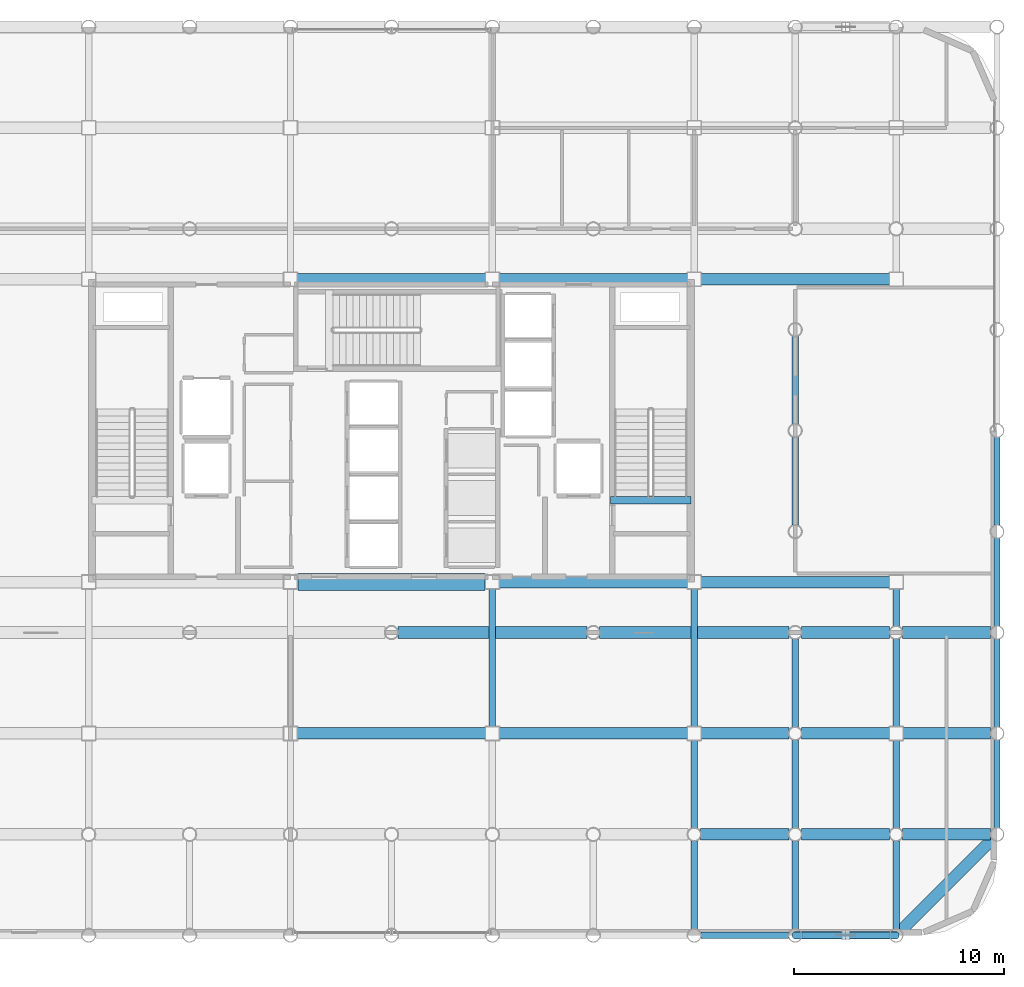
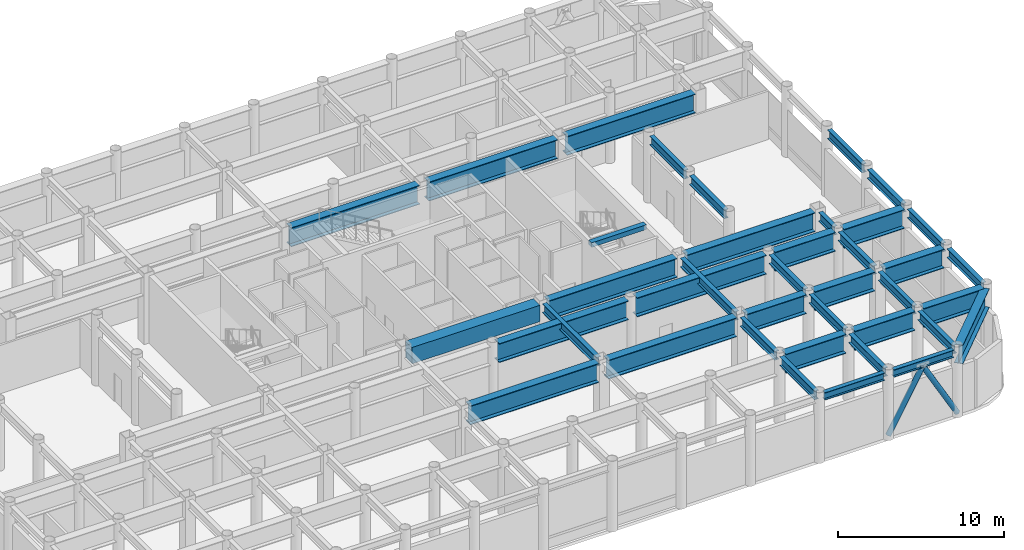
# One storey, part 7 of 20: 39 beams, 2 members.
"""IFC4 building model written with IfcOpenShell, lengths in metres."""

from ifc_helpers import new_model, si_unit, direction, frame, origin, origin_2d, place, context, subcontext, project, spatial, rectangle, hollow_circle, i_section, extrude, material, material_profile, profile_set, type_object, element, save


model = new_model("IFC4")

# Units and contexts
model_context = context("Model", 3, precision=1e-05, world=origin(), true_north=direction((0.0, 1.0)))
body_context = subcontext(model_context, "Body", "Model", "MODEL_VIEW")
ifc_project = project(units=[si_unit("LENGTHUNIT", "METRE"), si_unit("AREAUNIT", "SQUARE_METRE"), si_unit("VOLUMEUNIT", "CUBIC_METRE"), si_unit("PLANEANGLEUNIT", "RADIAN"), si_unit("MASSUNIT", "GRAM", prefix="KILO")], contexts=[model_context])

# Site, building, storey
site_placement = place(None, origin())
site = spatial("IfcSite", under=ifc_project, at=site_placement, CompositionType="ELEMENT")
building_placement = place(site_placement, origin())
building = spatial("IfcBuilding", under=site, at=building_placement, Name="Kallvorn Hotel Tower", CompositionType="ELEMENT")
storey_placement = place(building_placement, frame((0.0, 0.0, 180.300048828125)))
storey = spatial("IfcBuildingStorey", under=building, at=storey_placement, Name="L45", CompositionType="ELEMENT", Elevation=180.300048828125)

# Beams
ifc_material_1 = material(Name="Structural steel S355JR", Category="steel")
ifc_material_profile_1 = material_profile(ifc_material_1, i_section(OverallWidth=0.300048828125, OverallDepth=0.550048828125, WebThickness=0.014892578125, FlangeThickness=0.029052734375, at=origin_2d()), Name="HE 550 B")
ifc_profile_set_1 = profile_set([ifc_material_profile_1], Name="Structural steel S355JR")
beam_type_1 = type_object("IfcBeamType", Name="BM_HE550B", PredefinedType="SPANDREL", material=ifc_profile_set_1)
for number, where, z_axis, x_axis, name in (
    (1, (14.719970703125, -24.0, 4.675048828125), (1.0, 0.0, 0.0), (0.0, 1.0, 0.0), "L46 Perimeter Spandrel 160"),
    (2, (19.52001953125, -24.0, 4.675048828125), (1.0, 0.0, 0.0), (0.0, 1.0, 0.0), "L46 Perimeter Spandrel 161"),
):
    element("IfcBeam", number, at=place(storey_placement, frame(where, z_axis=z_axis, x_axis=x_axis)), inside=storey, type_object=beam_type_1, Name=name, PredefinedType="SPANDREL", context=body_context, shape_type="SweptSolid", body=[
        extrude(i_section(OverallWidth=0.300048828125, OverallDepth=0.550048828125, WebThickness=0.014892578125, FlangeThickness=0.029052734375, at=origin_2d()), origin(), (0.0, 0.0, 1.0), 4.159912109375),
    ])
ifc_material_2 = material(Name="Structural steel S355JR", Category="steel")
ifc_material_profile_2 = material_profile(ifc_material_2, i_section(OverallWidth=0.300048828125, OverallDepth=0.64990234375, WebThickness=0.01611328125, FlangeThickness=0.031005859375, at=origin_2d()), Name="HE 650 B")
ifc_profile_set_2 = profile_set([ifc_material_profile_2], Name="Structural steel S355JR")
beam_type_2 = type_object("IfcBeamType", Name="BM_HE650B", PredefinedType="BEAM", material=ifc_profile_set_2)
beam_1_placement = place(storey_placement, frame((4.800048828125, -14.074951171875, 4.625), z_axis=(0.0, 1.0, 0.0), x_axis=(-1.0, 0.0, 0.0)))
element("IfcBeam", 3, at=beam_1_placement, inside=storey, type_object=beam_type_2, Name="L46 Primary Y-Girder 116", PredefinedType="BEAM", context=body_context, shape_type="SweptSolid", body=[
    extrude(i_section(OverallWidth=0.300048828125, OverallDepth=0.64990234375, WebThickness=0.01611328125, FlangeThickness=0.031005859375, at=origin_2d()), origin(), (0.0, 0.0, 1.0), 6.550048828125),
])
beam_2_placement = place(storey_placement, frame((14.39990234375, -23.695068359375, 4.625), z_axis=(0.0, 1.0, 0.0), x_axis=(-1.0, 0.0, 0.0)))
element("IfcBeam", 4, at=beam_2_placement, inside=storey, type_object=beam_type_2, Name="L46 Primary Y-Girder 122", PredefinedType="BEAM", context=body_context, shape_type="SweptSolid", body=[
    extrude(i_section(OverallWidth=0.300048828125, OverallDepth=0.64990234375, WebThickness=0.01611328125, FlangeThickness=0.031005859375, at=origin_2d()), origin(), (0.0, 0.0, 1.0), 4.190185546875),
])
beam_3_placement = place(storey_placement, frame((14.39990234375, -18.89501953125, 4.625), z_axis=(0.0, 1.0, 0.0), x_axis=(-1.0, 0.0, 0.0)))
element("IfcBeam", 5, at=beam_3_placement, inside=storey, type_object=beam_type_2, Name="L46 Primary Y-Girder 123", PredefinedType="BEAM", context=body_context, shape_type="SweptSolid", body=[
    extrude(i_section(OverallWidth=0.300048828125, OverallDepth=0.64990234375, WebThickness=0.01611328125, FlangeThickness=0.031005859375, at=origin_2d()), origin(), (0.0, 0.0, 1.0), 4.169921875),
])
beam_4_placement = place(storey_placement, frame((14.39990234375, -14.074951171875, 4.625), z_axis=(0.0, 1.0, 0.0), x_axis=(-1.0, 0.0, 0.0)))
element("IfcBeam", 6, at=beam_4_placement, inside=storey, type_object=beam_type_2, Name="L46 Primary Y-Girder 124", PredefinedType="BEAM", context=body_context, shape_type="SweptSolid", body=[
    extrude(i_section(OverallWidth=0.300048828125, OverallDepth=0.64990234375, WebThickness=0.01611328125, FlangeThickness=0.031005859375, at=origin_2d()), origin(), (0.0, 0.0, 1.0), 6.550048828125),
])
beam_5_placement = place(storey_placement, frame((19.199951171875, -23.695068359375, 4.625), z_axis=(0.0, 1.0, 0.0), x_axis=(-1.0, 0.0, 0.0)))
element("IfcBeam", 7, at=beam_5_placement, inside=storey, type_object=beam_type_2, Name="L46 Primary Y-Girder 127", PredefinedType="BEAM", context=body_context, shape_type="SweptSolid", body=[
    extrude(i_section(OverallWidth=0.300048828125, OverallDepth=0.64990234375, WebThickness=0.01611328125, FlangeThickness=0.031005859375, at=origin_2d()), origin(), (0.0, 0.0, 1.0), 4.190185546875),
])
for number, where, z_axis, x_axis, name in (
    (8, (19.199951171875, -18.89501953125, 4.625), (0.0, 1.0, 0.0), (-1.0, 0.0, 0.0), "L46 Primary Y-Girder 128"),
    (9, (19.199951171875, -14.094970703125, 4.625), (0.0, 1.0, 0.0), (-1.0, 0.0, 0.0), "L46 Primary Y-Girder 129"),
):
    element("IfcBeam", number, at=place(storey_placement, frame(where, z_axis=z_axis, x_axis=x_axis)), inside=storey, type_object=beam_type_2, Name=name, PredefinedType="BEAM", context=body_context, shape_type="SweptSolid", body=[
        extrude(i_section(OverallWidth=0.300048828125, OverallDepth=0.64990234375, WebThickness=0.01611328125, FlangeThickness=0.031005859375, at=origin_2d()), origin(), (0.0, 0.0, 1.0), 4.18994140625),
    ])
for number, where, z_axis, x_axis, name in (
    (10, (19.199951171875, -4.4951171875, 4.625), (0.0, 1.0, 0.0), (-1.0, 0.0, 0.0), "L46 Primary Y-Girder 131"),
    (11, (19.199951171875, 0.304931640625, 4.625), (0.0, 1.0, 0.0), (-1.0, 0.0, 0.0), "L46 Primary Y-Girder 132"),
    (12, (24.0, -23.695068359375, 4.625), (0.0, 1.0, 0.0), (-1.0, 0.0, 0.0), "L46 Primary Y-Girder 136"),
):
    element("IfcBeam", number, at=place(storey_placement, frame(where, z_axis=z_axis, x_axis=x_axis)), inside=storey, type_object=beam_type_2, Name=name, PredefinedType="BEAM", context=body_context, shape_type="SweptSolid", body=[
        extrude(i_section(OverallWidth=0.300048828125, OverallDepth=0.64990234375, WebThickness=0.01611328125, FlangeThickness=0.031005859375, at=origin_2d()), origin(), (0.0, 0.0, 1.0), 4.190185546875),
    ])
for number, where, z_axis, x_axis, name in (
    (13, (24.0, -18.89501953125, 4.625), (0.0, 1.0, 0.0), (-1.0, 0.0, 0.0), "L46 Primary Y-Girder 137"),
    (14, (24.0, -14.074951171875, 4.625), (0.0, 1.0, 0.0), (-1.0, 0.0, 0.0), "L46 Primary Y-Girder 138"),
):
    element("IfcBeam", number, at=place(storey_placement, frame(where, z_axis=z_axis, x_axis=x_axis)), inside=storey, type_object=beam_type_2, Name=name, PredefinedType="BEAM", context=body_context, shape_type="SweptSolid", body=[
        extrude(i_section(OverallWidth=0.300048828125, OverallDepth=0.64990234375, WebThickness=0.01611328125, FlangeThickness=0.031005859375, at=origin_2d()), origin(), (0.0, 0.0, 1.0), 4.169921875),
    ])
beam_6_placement = place(storey_placement, frame((24.0, -9.294921875, 4.625), z_axis=(0.0, 1.0, 0.0), x_axis=(-1.0, 0.0, 0.0)))
element("IfcBeam", 15, at=beam_6_placement, inside=storey, type_object=beam_type_2, Name="L46 Primary Y-Girder 139", PredefinedType="BEAM", context=body_context, shape_type="SweptSolid", body=[
    extrude(i_section(OverallWidth=0.300048828125, OverallDepth=0.64990234375, WebThickness=0.01611328125, FlangeThickness=0.031005859375, at=origin_2d()), origin(), (0.0, 0.0, 1.0), 1.77001953125),
])
for number, where, z_axis, x_axis, name in (
    (16, (28.800048828125, -18.89501953125, 4.625), (0.0, 1.0, 0.0), (-1.0, 0.0, 0.0), "L46 Primary Y-Girder 143"),
    (17, (28.800048828125, -14.094970703125, 4.625), (0.0, 1.0, 0.0), (-1.0, 0.0, 0.0), "L46 Primary Y-Girder 144"),
    (18, (28.800048828125, -9.294921875, 4.625), (0.0, 1.0, 0.0), (-1.0, 0.0, 0.0), "L46 Primary Y-Girder 145"),
):
    element("IfcBeam", number, at=place(storey_placement, frame(where, z_axis=z_axis, x_axis=x_axis)), inside=storey, type_object=beam_type_2, Name=name, PredefinedType="BEAM", context=body_context, shape_type="SweptSolid", body=[
        extrude(i_section(OverallWidth=0.300048828125, OverallDepth=0.64990234375, WebThickness=0.01611328125, FlangeThickness=0.031005859375, at=origin_2d()), origin(), (0.0, 0.0, 1.0), 4.18994140625),
    ])
beam_7_placement = place(storey_placement, frame((28.800048828125, -4.4951171875, 4.625), z_axis=(0.0, 1.0, 0.0), x_axis=(-1.0, 0.0, 0.0)))
element("IfcBeam", 19, at=beam_7_placement, inside=storey, type_object=beam_type_2, Name="L46 Primary Y-Girder 146", PredefinedType="BEAM", context=body_context, shape_type="SweptSolid", body=[
    extrude(i_section(OverallWidth=0.300048828125, OverallDepth=0.64990234375, WebThickness=0.01611328125, FlangeThickness=0.031005859375, at=origin_2d()), origin(), (0.0, 0.0, 1.0), 4.190185546875),
])
ifc_material_3 = material(Name="Structural steel S355JR", Category="steel")
ifc_material_profile_3 = material_profile(ifc_material_3, i_section(OverallWidth=0.550048828125, OverallDepth=1.39990234375, WebThickness=0.02490234375, FlangeThickness=0.044921875, at=origin_2d()), Name="PG 1400x550x25x45")
ifc_profile_set_3 = profile_set([ifc_material_profile_3], Name="Structural steel S355JR")
beam_type_3 = type_object("IfcBeamType", Name="BM_PG_1400", PredefinedType="BEAM", material=ifc_profile_set_3)
beam_8_placement = place(storey_placement, frame((14.705078125, -19.199951171875, 4.25), z_axis=(1.0, 0.0, 0.0), x_axis=(0.0, 1.0, 0.0)))
element("IfcBeam", 20, at=beam_8_placement, inside=storey, type_object=beam_type_3, Name="L46 Primary X-Girder 11", PredefinedType="BEAM", context=body_context, shape_type="SweptSolid", body=[
    extrude(i_section(OverallWidth=0.550048828125, OverallDepth=1.39990234375, WebThickness=0.02490234375, FlangeThickness=0.044921875, at=origin_2d()), origin(), (0.0, 0.0, 1.0), 4.18994140625),
])
for number, where, z_axis, x_axis, name in (
    (21, (19.5048828125, -19.199951171875, 4.25), (1.0, 0.0, 0.0), (0.0, 1.0, 0.0), "L46 Primary X-Girder 12"),
    (22, (24.304931640625, -19.199951171875, 4.25), (1.0, 0.0, 0.0), (0.0, 1.0, 0.0), "L46 Primary X-Girder 13"),
):
    element("IfcBeam", number, at=place(storey_placement, frame(where, z_axis=z_axis, x_axis=x_axis)), inside=storey, type_object=beam_type_3, Name=name, PredefinedType="BEAM", context=body_context, shape_type="SweptSolid", body=[
        extrude(i_section(OverallWidth=0.550048828125, OverallDepth=1.39990234375, WebThickness=0.02490234375, FlangeThickness=0.044921875, at=origin_2d()), origin(), (0.0, 0.0, 1.0), 4.190185546875),
    ])
beam_9_placement = place(storey_placement, frame((-4.47509765625, -14.39990234375, 4.25), z_axis=(1.0, 0.0, 0.0), x_axis=(0.0, 1.0, 0.0)))
element("IfcBeam", 23, at=beam_9_placement, inside=storey, type_object=beam_type_3, Name="L46 Primary X-Girder 19", PredefinedType="BEAM", context=body_context, shape_type="SweptSolid", body=[
    extrude(i_section(OverallWidth=0.550048828125, OverallDepth=1.39990234375, WebThickness=0.02490234375, FlangeThickness=0.044921875, at=origin_2d()), origin(), (0.0, 0.0, 1.0), 8.9501953125),
])
beam_10_placement = place(storey_placement, frame((5.125, -14.39990234375, 4.25), z_axis=(1.0, 0.0, 0.0), x_axis=(0.0, 1.0, 0.0)))
element("IfcBeam", 24, at=beam_10_placement, inside=storey, type_object=beam_type_3, Name="L46 Primary X-Girder 20", PredefinedType="BEAM", context=body_context, shape_type="SweptSolid", body=[
    extrude(i_section(OverallWidth=0.550048828125, OverallDepth=1.39990234375, WebThickness=0.02490234375, FlangeThickness=0.044921875, at=origin_2d()), origin(), (0.0, 0.0, 1.0), 8.949951171875),
])
beam_11_placement = place(storey_placement, frame((14.72509765625, -14.39990234375, 4.25), z_axis=(1.0, 0.0, 0.0), x_axis=(0.0, 1.0, 0.0)))
element("IfcBeam", 25, at=beam_11_placement, inside=storey, type_object=beam_type_3, Name="L46 Primary X-Girder 21", PredefinedType="BEAM", context=body_context, shape_type="SweptSolid", body=[
    extrude(i_section(OverallWidth=0.550048828125, OverallDepth=1.39990234375, WebThickness=0.02490234375, FlangeThickness=0.044921875, at=origin_2d()), origin(), (0.0, 0.0, 1.0), 4.169921875),
])
for number, where, z_axis, x_axis, name in (
    (26, (19.5048828125, -14.39990234375, 4.25), (1.0, 0.0, 0.0), (0.0, 1.0, 0.0), "L46 Primary X-Girder 22"),
    (27, (24.324951171875, -14.39990234375, 4.25), (1.0, 0.0, 0.0), (0.0, 1.0, 0.0), "L46 Primary X-Girder 23"),
):
    element("IfcBeam", number, at=place(storey_placement, frame(where, z_axis=z_axis, x_axis=x_axis)), inside=storey, type_object=beam_type_3, Name=name, PredefinedType="BEAM", context=body_context, shape_type="SweptSolid", body=[
        extrude(i_section(OverallWidth=0.550048828125, OverallDepth=1.39990234375, WebThickness=0.02490234375, FlangeThickness=0.044921875, at=origin_2d()), origin(), (0.0, 0.0, 1.0), 4.170166015625),
    ])
for number, where, z_axis, x_axis, name in (
    (28, (0.304931640625, -9.60009765625, 4.25), (1.0, 0.0, 0.0), (0.0, 1.0, 0.0), "L46 Primary X-Girder 29"),
    (29, (9.905029296875, -9.60009765625, 4.25), (1.0, 0.0, 0.0), (0.0, 1.0, 0.0), "L46 Primary X-Girder 30"),
):
    element("IfcBeam", number, at=place(storey_placement, frame(where, z_axis=z_axis, x_axis=x_axis)), inside=storey, type_object=beam_type_3, Name=name, PredefinedType="BEAM", context=body_context, shape_type="SweptSolid", body=[
        extrude(i_section(OverallWidth=0.550048828125, OverallDepth=1.39990234375, WebThickness=0.02490234375, FlangeThickness=0.044921875, at=origin_2d()), origin(), (0.0, 0.0, 1.0), 8.989990234375),
    ])
for number, where, z_axis, x_axis, name in (
    (30, (19.5048828125, -9.60009765625, 4.25), (1.0, 0.0, 0.0), (0.0, 1.0, 0.0), "L46 Primary X-Girder 31"),
    (31, (24.304931640625, -9.60009765625, 4.25), (1.0, 0.0, 0.0), (0.0, 1.0, 0.0), "L46 Primary X-Girder 32"),
):
    element("IfcBeam", number, at=place(storey_placement, frame(where, z_axis=z_axis, x_axis=x_axis)), inside=storey, type_object=beam_type_3, Name=name, PredefinedType="BEAM", context=body_context, shape_type="SweptSolid", body=[
        extrude(i_section(OverallWidth=0.550048828125, OverallDepth=1.39990234375, WebThickness=0.02490234375, FlangeThickness=0.044921875, at=origin_2d()), origin(), (0.0, 0.0, 1.0), 4.190185546875),
    ])
for number, where, z_axis, x_axis, name in (
    (32, (5.125, -7.199951171875, 4.25), (1.0, 0.0, 0.0), (0.0, 1.0, 0.0), "L46 Primary X-Girder 35"),
    (33, (14.72509765625, -7.199951171875, 4.25), (1.0, 0.0, 0.0), (0.0, 1.0, 0.0), "L46 Primary X-Girder 36"),
):
    element("IfcBeam", number, at=place(storey_placement, frame(where, z_axis=z_axis, x_axis=x_axis)), inside=storey, type_object=beam_type_3, Name=name, PredefinedType="BEAM", context=body_context, shape_type="SweptSolid", body=[
        extrude(i_section(OverallWidth=0.550048828125, OverallDepth=1.39990234375, WebThickness=0.02490234375, FlangeThickness=0.044921875, at=origin_2d()), origin(), (0.0, 0.0, 1.0), 8.949951171875),
    ])
beam_12_placement = place(storey_placement, frame((-4.47509765625, 7.199951171875, 4.25), z_axis=(1.0, 0.0, 0.0), x_axis=(0.0, 1.0, 0.0)))
element("IfcBeam", 34, at=beam_12_placement, inside=storey, type_object=beam_type_3, Name="L46 Primary X-Girder 39", PredefinedType="BEAM", context=body_context, shape_type="SweptSolid", body=[
    extrude(i_section(OverallWidth=0.550048828125, OverallDepth=1.39990234375, WebThickness=0.02490234375, FlangeThickness=0.044921875, at=origin_2d()), origin(), (0.0, 0.0, 1.0), 8.9501953125),
])
for number, where, z_axis, x_axis, name in (
    (35, (5.125, 7.199951171875, 4.25), (1.0, 0.0, 0.0), (0.0, 1.0, 0.0), "L46 Primary X-Girder 40"),
    (36, (14.72509765625, 7.199951171875, 4.25), (1.0, 0.0, 0.0), (0.0, 1.0, 0.0), "L46 Primary X-Girder 41"),
):
    element("IfcBeam", number, at=place(storey_placement, frame(where, z_axis=z_axis, x_axis=x_axis)), inside=storey, type_object=beam_type_3, Name=name, PredefinedType="BEAM", context=body_context, shape_type="SweptSolid", body=[
        extrude(i_section(OverallWidth=0.550048828125, OverallDepth=1.39990234375, WebThickness=0.02490234375, FlangeThickness=0.044921875, at=origin_2d()), origin(), (0.0, 0.0, 1.0), 8.949951171875),
    ])
beam_13_placement = place(storey_placement, frame((28.57373046875, -19.42626953125, 4.25), z_axis=(-0.707106781187, -0.707106781187, 0.0), x_axis=(0.707106781187, -0.707106781187, 0.0)))
element("IfcBeam", 37, at=beam_13_placement, inside=storey, type_object=beam_type_3, Name="L46 Rounded Corner Tie Beam 191", PredefinedType="BEAM", context=body_context, shape_type="SweptSolid", body=[
    extrude(i_section(OverallWidth=0.550048828125, OverallDepth=1.39990234375, WebThickness=0.02490234375, FlangeThickness=0.044921875, at=origin_2d()), origin(), (0.0, 0.0, 1.0), 6.148193359375),
])
ifc_material_4 = material(Name="Concrete C50/60", Category="concrete")
ifc_material_profile_4 = material_profile(ifc_material_4, rectangle(XDim=0.360107421875, YDim=0.340087890625, at=origin_2d()), Name="RC 360x340")
ifc_profile_set_4 = profile_set([ifc_material_profile_4], Name="Concrete C50/60")
beam_type_4 = type_object("IfcBeamType", Name="BM_RC_400x360", PredefinedType="BEAM", material=ifc_profile_set_4)
beam_14_placement = place(storey_placement, frame((14.239990234375, -3.31005859375, 4.780029296875), z_axis=(-1.0, 0.0, 0.0), x_axis=(0.0, -1.0, 0.0)))
element("IfcBeam", 38, at=beam_14_placement, inside=storey, type_object=beam_type_4, Name="L46 Stair ST2 Arrival Trimmer Beam", PredefinedType="BEAM", context=body_context, shape_type="SweptSolid", body=[
    extrude(rectangle(XDim=0.360107421875, YDim=0.340087890625, at=origin_2d()), origin(), (0.0, 0.0, 1.0), 3.820068359375),
])
ifc_material_5 = material(Name="Concrete C50/60", Category="concrete")
ifc_material_profile_5 = material_profile(ifc_material_5, rectangle(XDim=0.800048828125, YDim=1.199951171875, at=origin_2d()), Name="RC 800x1200")
ifc_profile_set_5 = profile_set([ifc_material_profile_5], Name="Concrete C50/60")
beam_type_5 = type_object("IfcBeamType", Name="BM_RC_800x1200", PredefinedType="T_BEAM", material=ifc_profile_set_5)
beam_15_placement = place(storey_placement, frame((-4.449951171875, -7.199951171875, 4.349853515625), z_axis=(1.0, 0.0, 0.0), x_axis=(0.0, 1.0, 0.0)))
element("IfcBeam", 39, at=beam_15_placement, inside=storey, type_object=beam_type_5, Name="L45 Core Coupling Beam South", PredefinedType="T_BEAM", context=body_context, shape_type="SweptSolid", body=[
    extrude(rectangle(XDim=0.800048828125, YDim=1.199951171875, at=origin_2d()), origin(), (0.0, 0.0, 1.0), 8.89990234375),
])

# Members
ifc_material_6 = material(Name="Structural steel S355J2H", Category="steel")
ifc_material_profile_6 = material_profile(ifc_material_6, hollow_circle(Radius=0.177734375, WallThickness=0.01416015625, at=origin_2d()), Name="CHS 355.6x14.2")
ifc_profile_set_6 = profile_set([ifc_material_profile_6], Name="Structural steel S355J2H")
member_type = type_object("IfcMemberType", Name="MBR_EXO_CHS355", PredefinedType="BRACE", material=ifc_profile_set_6)
for number, where, z_axis, x_axis, name in (
    (40, (19.209716796875, -24.0, 0.197265625), (0.490827587651, 0.0, 0.871256724049), (0.0, 1.0, 0.0), "L45 Exoskeleton K-Brace S2A"),
    (41, (23.990234375, -24.0, 0.197265625), (-0.490827587651, 0.0, 0.871256724049), (0.0, -1.0, 0.0), "L45 Exoskeleton K-Brace S2B"),
):
    element("IfcMember", number, at=place(storey_placement, frame(where, z_axis=z_axis, x_axis=x_axis)), inside=storey, type_object=member_type, Name=name, PredefinedType="BRACE", context=body_context, shape_type="SweptSolid", body=[
        extrude(hollow_circle(Radius=0.177734375, WallThickness=0.01416015625, at=origin_2d()), origin(), (0.0, 0.0, 1.0), 4.849609375),
    ])

save(model, "model.ifc")
